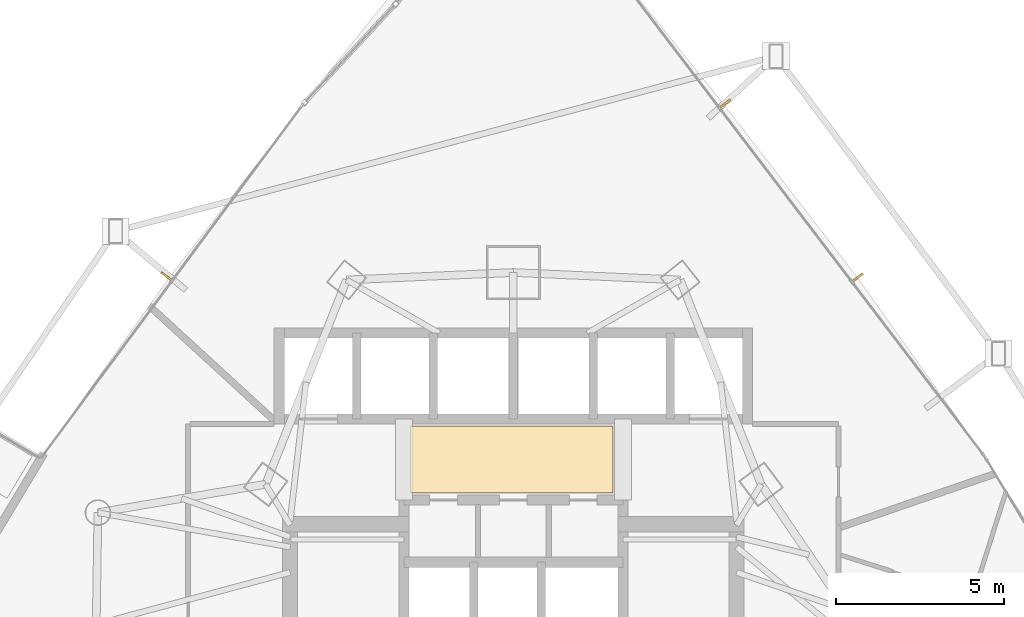
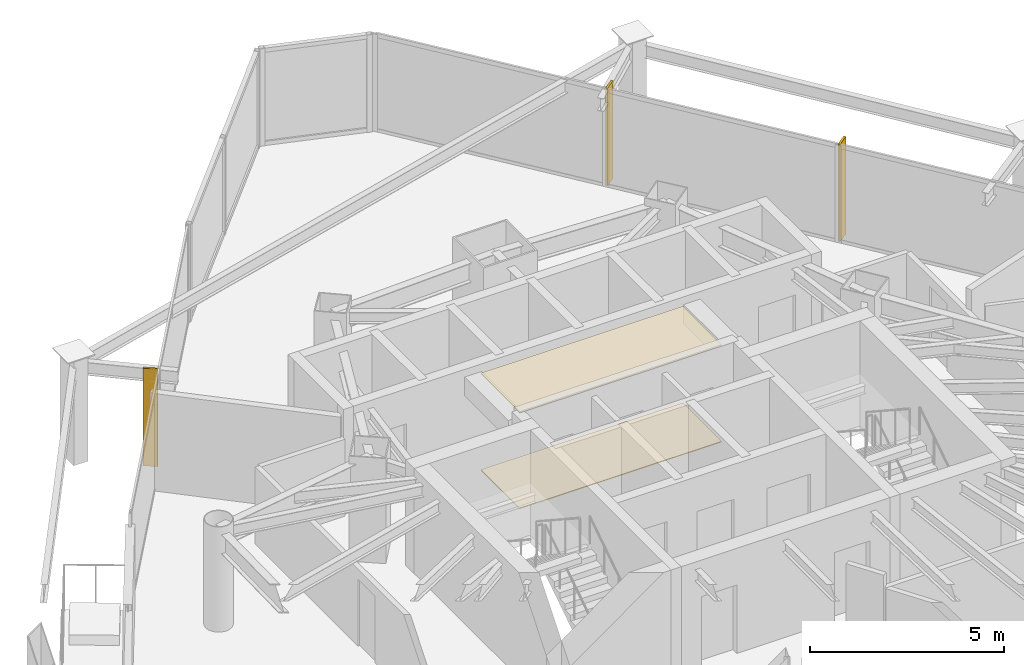
# One storey, part 35 of 35: 3 shading devices, 2 coverings.
"""IFC4 building model written with IfcOpenShell, lengths in metres."""

from ifc_helpers import new_model, si_unit, direction, frame, origin, origin_2d, place, context, subcontext, project, spatial, polyline, rectangle, outline, extrude, material, layer, layer_set, type_object, element, save


model = new_model("IFC4")

# Units and contexts
model_context = context("Model", 3, precision=1e-05, world=origin(), true_north=direction((0.0, 1.0)))
body_context = subcontext(model_context, "Body", "Model", "MODEL_VIEW")
ifc_project = project(units=[si_unit("LENGTHUNIT", "METRE"), si_unit("AREAUNIT", "SQUARE_METRE"), si_unit("VOLUMEUNIT", "CUBIC_METRE"), si_unit("PLANEANGLEUNIT", "RADIAN"), si_unit("MASSUNIT", "GRAM", prefix="KILO")], contexts=[model_context])

# Site, building, storey
site_placement = place(None, origin())
site = spatial("IfcSite", under=ifc_project, at=site_placement, CompositionType="ELEMENT")
building_placement = place(site_placement, origin())
building = spatial("IfcBuilding", under=site, at=building_placement, Name="Orvanel Arch Residences", CompositionType="ELEMENT")
storey_placement = place(building_placement, frame((0.0, 0.0, 40.10009765625)))
storey = spatial("IfcBuildingStorey", under=building, at=storey_placement, Name="L10", CompositionType="ELEMENT", Elevation=40.10009765625)

# Coverings
ifc_material_1 = material(Name="Perforated acoustic mineral-fibre ceiling tile", Category="gypsum")
ifc_layer_1 = layer(ifc_material_1, 0.034912109375)
ifc_layer_set_1 = layer_set([ifc_layer_1], Name="Perforated acoustic mineral-fibre ceiling tile")
covering_type_1 = type_object("IfcCoveringType", Name="COV-CLG-ACS35", PredefinedType="CEILING", material=ifc_layer_set_1)
covering_1_placement = place(storey_placement, frame((0.0, 0.0, 3.02490234375)))
element("IfcCovering", 1, at=covering_1_placement, inside=storey, type_object=covering_type_1, Name="L10 Lift Lobby Acoustic Ceiling", PredefinedType="CEILING", context=body_context, shape_type="SweptSolid", body=[
    extrude(outline(polyline([(29.949951171875, 34.85009765625), (35.949951171875, 34.85009765625), (35.949951171875, 36.85009765625), (29.949951171875, 36.85009765625), (29.949951171875, 34.85009765625)])), origin(), (0.0, 0.0, 1.0), 0.034912109375),
])
ifc_material_2 = material(Name="Honed cementitious terrazzo floor finish", Category="concrete")
ifc_layer_2 = layer(ifc_material_2, 0.02490234375)
ifc_layer_set_2 = layer_set([ifc_layer_2], Name="Honed cementitious terrazzo floor finish")
covering_type_2 = type_object("IfcCoveringType", Name="COV-FLR-TRZ25", PredefinedType="FLOORING", material=ifc_layer_set_2)
covering_2_placement = place(storey_placement, origin())
element("IfcCovering", 2, at=covering_2_placement, inside=storey, type_object=covering_type_2, Name="L10 Lift Lobby Terrazzo Flooring", PredefinedType="FLOORING", context=body_context, shape_type="SweptSolid", body=[
    extrude(outline(polyline([(29.949951171875, 34.85009765625), (35.949951171875, 34.85009765625), (35.949951171875, 36.85009765625), (29.949951171875, 36.85009765625), (29.949951171875, 34.85009765625)])), origin(), (0.0, 0.0, 1.0), 0.02490234375),
])

# Shading devices
ifc_material_3 = material(Name="Bronze-anodised aluminium AA6063-T6", Category="aluminium")
ifc_layer_3 = layer(ifc_material_3, 0.06005859375)
ifc_layer_set_3 = layer_set([ifc_layer_3], Name="Bronze-anodised aluminium AA6063-T6")
shading_device_type = type_object("IfcShadingDeviceType", Name="FIN-BRZ-380", PredefinedType="USERDEFINED", material=ifc_layer_set_3)
for number, where, z_axis, x_axis, name in (
    (3, (22.699951171875, 41.2890625, -0.000244140625), (0.0, 0.0, 1.0), (-0.803856860617, 0.594822786751, 0.0), "L10 Anodised Bronze Mullion FIN 01"),
    (4, (43.219970703125, 41.251953125, -0.000244140625), (0.0, 0.0, 1.0), (0.795473480855, 0.605988400266, 0.0), "L10 Anodised Bronze Mullion FIN 01"),
    (5, (39.2880859375, 46.4130859375, -0.000244140625), (0.0, 0.0, 1.0), (0.795473480855, 0.605988400266, 0.0), "L10 Anodised Bronze Mullion FIN 02"),
):
    element("IfcShadingDevice", number, at=place(storey_placement, frame(where, z_axis=z_axis, x_axis=x_axis)), inside=storey, type_object=shading_device_type, Name=name, ObjectType="FIN", PredefinedType="USERDEFINED", context=body_context, shape_type="SweptSolid", body=[
        extrude(rectangle(XDim=0.3798828125, YDim=0.06005859375, at=origin_2d()), origin(), (0.0, 0.0, 1.0), 3.06005859375),
    ])

save(model, "model.ifc")
